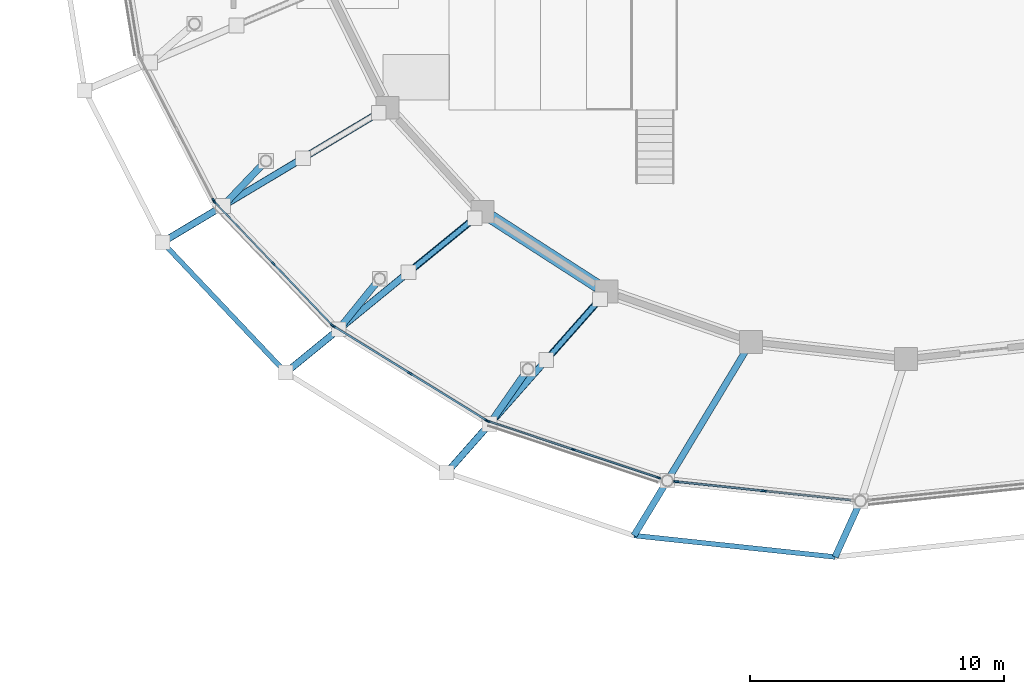
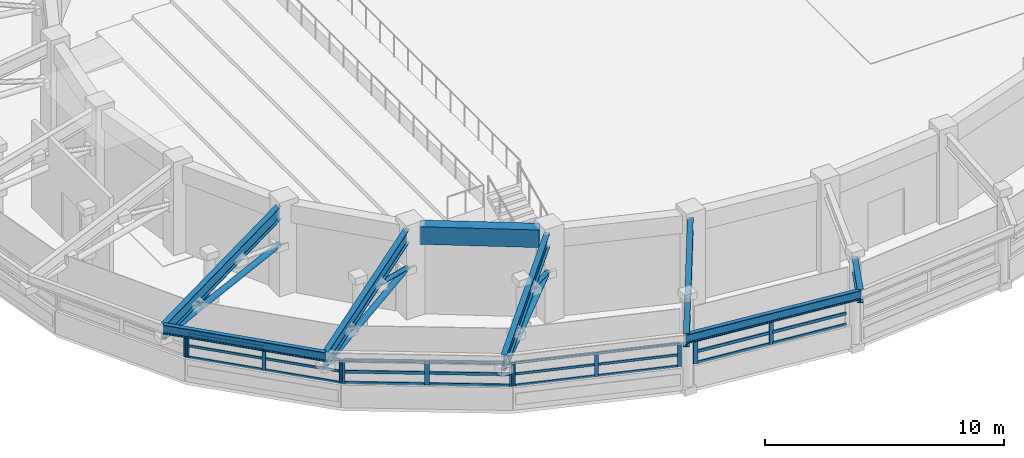
# One storey, part 11 of 56: 43 members, 9 beams, 5 elements without a shape of their own.
"""IFC4 building model written with IfcOpenShell, lengths in metres."""

import ifcopenshell
import ifcopenshell.guid

model = None  # the IFC model being written
_history = None  # IfcOwnerHistory: only IFC2X3 demands one
_inside = {}  # id of a spatial element -> (the spatial element, [elements in it])
_under = {}  # id of a project, library or spatial element -> (it, [spatial elements below it])
_declared = {}  # id of a project -> (the project, [libraries it declares])
_typed = {}  # id of a type object -> (the type object, [elements of that type])
_made_of = {}  # id of a material, layer set ... -> (it, [elements and type objects made of it])


def new_model(schema):
    """Start an empty IFC model of exactly this schema.

    Asked for "IFC4X3", IfcOpenShell would pick the latest addendum, in which some entities
    have other attributes; the version numbers below select the first issue.
    IFC2X3 requires an IfcOwnerHistory on every rooted entity: one is made here for all.
    """
    global model, _history
    if schema == "IFC4X3":
        model = ifcopenshell.file(schema_version=(4, 3, 0, 0))
    else:
        model = ifcopenshell.file(schema=schema)
    _inside.clear()
    _under.clear()
    _declared.clear()
    _typed.clear()
    _made_of.clear()
    _history = None
    if model.schema == "IFC2X3":
        org = make("IfcOrganization", Name="unknown")
        user = make(
            "IfcPersonAndOrganization",
            ThePerson=make("IfcPerson", FamilyName="unknown"),
            TheOrganization=org,
        )
        app = make(
            "IfcApplication",
            ApplicationDeveloper=org,
            Version="unknown",
            ApplicationFullName="unknown",
            ApplicationIdentifier="unknown",
        )
        _history = make(
            "IfcOwnerHistory",
            OwningUser=user,
            OwningApplication=app,
            ChangeAction="ADDED",
            CreationDate=0,
        )
    return model


def make(cls, **values):
    """One entity of the class cls with the attributes given. An attribute that is None is left unset."""
    return model.create_entity(
        cls, **{name: value for name, value in values.items() if value is not None}
    )


def rooted(cls, **values):
    """An entity with a GlobalId (a new one), such as an element, a storey or a relation."""
    return make(cls, GlobalId=ifcopenshell.guid.new(), OwnerHistory=_history, **values)


def si_unit(unit_type, name, prefix=None):
    """IfcSIUnit, for example si_unit("LENGTHUNIT", "METRE", prefix="MILLI")."""
    return make("IfcSIUnit", UnitType=unit_type, Prefix=prefix, Name=name)


def assignment(units):
    """IfcUnitAssignment: the units of a project."""
    return None if units is None else make("IfcUnitAssignment", Units=units)


def point(xyz):
    """IfcCartesianPoint."""
    return None if xyz is None else make("IfcCartesianPoint", Coordinates=xyz)


def direction(xyz):
    """IfcDirection."""
    return None if xyz is None else make("IfcDirection", DirectionRatios=xyz)


def frame(location, z_axis=None, x_axis=None):
    """IfcAxis2Placement3D, a coordinate frame: its origin and axes. An axis left out is left unset."""
    return make(
        "IfcAxis2Placement3D",
        Location=point(location),
        Axis=direction(z_axis),
        RefDirection=direction(x_axis),
    )


def frame_2d(location, x_axis=None):
    """IfcAxis2Placement2D, a coordinate frame in the plane: its origin and x axis."""
    return make(
        "IfcAxis2Placement2D", Location=point(location), RefDirection=direction(x_axis)
    )


def origin():
    """The frame at (0, 0, 0) with its axes left unset."""
    return frame((0.0, 0.0, 0.0))


def origin_2d():
    """The frame at (0, 0) in the plane with its x axis left unset."""
    return frame_2d((0.0, 0.0))


def place(relative_to, where):
    """IfcLocalPlacement: puts the frame where relative to a parent placement (None: the world)."""
    return make(
        "IfcLocalPlacement", PlacementRelTo=relative_to, RelativePlacement=where
    )


def context(
    kind, dimensions, precision=None, world=None, true_north=None, identifier=None
):
    """IfcGeometricRepresentationContext, for example the 3D "Model" context."""
    return make(
        "IfcGeometricRepresentationContext",
        ContextIdentifier=identifier,
        ContextType=kind,
        CoordinateSpaceDimension=dimensions,
        Precision=precision,
        WorldCoordinateSystem=world,
        TrueNorth=true_north,
    )


def subcontext(parent, identifier, kind, view, scale=None):
    """IfcGeometricRepresentationSubContext, for example "Body" below "Model"."""
    return make(
        "IfcGeometricRepresentationSubContext",
        ContextIdentifier=identifier,
        ContextType=kind,
        ParentContext=parent,
        TargetScale=scale,
        TargetView=view,
    )


def project(units=None, contexts=None):
    """IfcProject with its units and contexts."""
    return rooted(
        "IfcProject",
        Name="project",
        RepresentationContexts=contexts,
        UnitsInContext=assignment(units),
    )


def spatial(cls, under=None, at=None, **own):
    """A site, building, storey or space (cls), placed at a placement, below another one or the project."""
    s = rooted(cls, ObjectPlacement=at, **own)
    if under is not None:
        _under.setdefault(under.id(), (under, []))[1].append(s)
    return s


def profile(cls, at=None, kind="AREA", **sizes):
    """A parametric profile (cls). Its sizes go by their IFC names, for example OverallWidth=200.0."""
    return make(cls, ProfileType=kind, Position=at, **sizes)


def rectangle(**sizes):
    """IfcRectangleProfileDef."""
    return profile("IfcRectangleProfileDef", **sizes)


def hollow_circle(**sizes):
    """IfcCircleHollowProfileDef."""
    return profile("IfcCircleHollowProfileDef", **sizes)


def i_section(**sizes):
    """IfcIShapeProfileDef."""
    return profile("IfcIShapeProfileDef", **sizes)


def extrude(swept, where, along, depth):
    """IfcExtrudedAreaSolid: the profile swept, set in the frame where, extruded along a direction by depth."""
    return make(
        "IfcExtrudedAreaSolid",
        SweptArea=swept,
        Position=where,
        ExtrudedDirection=direction(along),
        Depth=depth,
    )


def shape(context_of_items, identifier, shape_type, items):
    """IfcShapeRepresentation: the items that make up one representation, for example the "Body"."""
    return make(
        "IfcShapeRepresentation",
        ContextOfItems=context_of_items,
        RepresentationIdentifier=identifier,
        RepresentationType=shape_type,
        Items=items,
    )


def material(Name=None, Category=None):
    """IfcMaterial."""
    return make("IfcMaterial", Name=Name, Category=Category)


def material_profile(
    of_material, cross_section, Name=None, Category=None, Priority=None
):
    """IfcMaterialProfile: a cross section and its material."""
    return make(
        "IfcMaterialProfile",
        Name=Name,
        Material=of_material,
        Profile=cross_section,
        Priority=Priority,
        Category=Category,
    )


def profile_set(profiles, Name=None, composite=None):
    """IfcMaterialProfileSet."""
    return make(
        "IfcMaterialProfileSet",
        Name=Name,
        MaterialProfiles=profiles,
        CompositeProfile=composite,
    )


def made_of(thing, what):
    """Note that an element or type object is made of a material, layer set ...; save() writes the relation."""
    if what is not None:
        _made_of.setdefault(what.id(), (what, []))[1].append(thing)
    return thing


def type_object(cls, material=None, **own):
    """A type object (cls), such as IfcWallType, which elements share."""
    return made_of(rooted(cls, **own), material)


def element(
    cls,
    number,
    at=None,
    inside=None,
    cuts=None,
    type_object=None,
    material=None,
    context=None,
    identifier="Body",
    shape_type=None,
    held_by="IfcProductDefinitionShape",
    body=None,
    shapes=None,
    **own,
):
    """One element of the class cls, such as IfcWall. Its Tag is "e" and its number.

    at: its placement. inside: the storey or other place that contains it. cuts: it is an
    opening in that element (IfcRelVoidsElement). A single representation is given by context,
    identifier, shape_type and body (its items); several are given by shapes. held_by: the class
    of the entity that holds the representations. save() writes the other relations.
    """
    e = rooted(cls, Tag="e%d" % number, ObjectPlacement=at, **own)
    if body is not None:
        shapes = [shape(context, identifier, shape_type, body)]
    if shapes is not None:
        e.Representation = make(held_by, Representations=shapes)
    if inside is not None:
        _inside.setdefault(inside.id(), (inside, []))[1].append(e)
    if cuts is not None:
        rooted(
            "IfcRelVoidsElement", RelatingBuildingElement=cuts, RelatedOpeningElement=e
        )
    if type_object is not None:
        _typed.setdefault(type_object.id(), (type_object, []))[1].append(e)
    return made_of(e, material)


def aggregate(whole, parts):
    """IfcRelAggregates: a whole, such as a stair, and the parts it consists of."""
    return rooted("IfcRelAggregates", RelatingObject=whole, RelatedObjects=parts)


def save(model, path):
    """Write the relations noted so far, then the file.

    IfcRelAggregates (storeys below a building ...), IfcRelContainedInSpatialStructure (elements
    in a storey), IfcRelDefinesByType, IfcRelAssociatesMaterial and IfcRelDeclares: one each for
    every whole, place, type object, material and project.
    """
    for whole, parts in _under.values():
        aggregate(whole, parts)
    for where, things in _inside.values():
        rooted(
            "IfcRelContainedInSpatialStructure",
            RelatedElements=things,
            RelatingStructure=where,
        )
    for kind, things in _typed.values():
        rooted("IfcRelDefinesByType", RelatedObjects=things, RelatingType=kind)
    for what, things in _made_of.values():
        rooted("IfcRelAssociatesMaterial", RelatedObjects=things, RelatingMaterial=what)
    for by, libraries in _declared.values():
        rooted("IfcRelDeclares", RelatingContext=by, RelatedDefinitions=libraries)
    model.write(path)


model = new_model("IFC4")

# Units and contexts
model_context = context("Model", 3, precision=1e-05, world=origin(), true_north=direction((0.0, 1.0)))
body_context = subcontext(model_context, "Body", "Model", "MODEL_VIEW")
ifc_project = project(units=[si_unit("LENGTHUNIT", "METRE"), si_unit("AREAUNIT", "SQUARE_METRE"), si_unit("VOLUMEUNIT", "CUBIC_METRE"), si_unit("PLANEANGLEUNIT", "RADIAN"), si_unit("MASSUNIT", "GRAM", prefix="KILO")], contexts=[model_context])

# Site, building, storey
site_placement = place(None, origin())
site = spatial("IfcSite", under=ifc_project, at=site_placement, CompositionType="ELEMENT")
building_placement = place(site_placement, origin())
building = spatial("IfcBuilding", under=site, at=building_placement, Name="Parian Resonance Hall", CompositionType="ELEMENT")
storey_placement = place(building_placement, frame((0.0, 0.0, 5.39990234375)))
storey = spatial("IfcBuildingStorey", under=building, at=storey_placement, Name="L01", CompositionType="ELEMENT", Elevation=5.39990234375)

# Beams
ifc_material_1 = material(Name="Concrete C40/50", Category="concrete")
ifc_material_profile_1 = material_profile(ifc_material_1, rectangle(XDim=0.5, YDim=0.89990234375, at=origin_2d()), Name="RC-BM-500x900")
ifc_profile_set_1 = profile_set([ifc_material_profile_1], Name="Concrete C40/50")
beam_type_1 = type_object("IfcBeamType", Name="BM-RC500x900", PredefinedType="USERDEFINED", material=ifc_profile_set_1)
beam_1_placement = place(storey_placement, frame((27.648681640625, 29.78271484375, 4.080078125), z_axis=(0.840822266108, -0.541311293819, 0.0), x_axis=(0.541311293819, 0.840822266108, 0.0)))
element("IfcBeam", 1, at=beam_1_placement, inside=storey, type_object=beam_type_1, Name="Concert hall drum ring beam L01-16", ObjectType="GIRDER", PredefinedType="USERDEFINED", context=body_context, shape_type="SweptSolid", body=[
    extrude(rectangle(XDim=0.5, YDim=0.89990234375, at=origin_2d()), origin(), (0.0, 0.0, 1.0), 5.012939453125),
])
ifc_material_2 = material(Name="Steel S355", Category="steel")
ifc_material_profile_2 = material_profile(ifc_material_2, i_section(OverallWidth=0.194091796875, OverallDepth=0.468994140625, WebThickness=0.0126953125, FlangeThickness=0.0205078125, FilletRadius=0.01513671875, at=origin_2d()), Name="W460x106")
ifc_profile_set_2 = profile_set([ifc_material_profile_2], Name="Steel S355")
beam_type_2 = type_object("IfcBeamType", Name="BM-W460x106", PredefinedType="SPANDREL", material=ifc_profile_set_2)
beam_2_placement = place(storey_placement, frame((14.69970703125, 28.800048828125, 4.295654296875), z_axis=(0.687512919554, -0.726172145877, 0.0), x_axis=(0.726172145877, 0.687512919554, 0.0)))
element("IfcBeam", 2, at=beam_2_placement, inside=storey, type_object=beam_type_2, Name="Elliptical R2 perimeter spandrel beam 15", PredefinedType="SPANDREL", context=body_context, shape_type="SweptSolid", body=[
    extrude(i_section(OverallWidth=0.194091796875, OverallDepth=0.468994140625, WebThickness=0.0126953125, FlangeThickness=0.0205078125, FilletRadius=0.01513671875, at=origin_2d()), origin(), (0.0, 0.0, 1.0), 7.072998046875),
])
beam_3_placement = place(storey_placement, frame((33.280029296875, 17.2451171875, 4.295654296875), z_axis=(0.99435359569, -0.106117513819, 0.0), x_axis=(0.106117513819, 0.99435359569, 0.0)))
element("IfcBeam", 3, at=beam_3_placement, inside=storey, type_object=beam_type_2, Name="Elliptical R2 perimeter spandrel beam 18", PredefinedType="SPANDREL", context=body_context, shape_type="SweptSolid", body=[
    extrude(i_section(OverallWidth=0.194091796875, OverallDepth=0.468994140625, WebThickness=0.0126953125, FlangeThickness=0.0205078125, FilletRadius=0.01513671875, at=origin_2d()), origin(), (0.0, 0.0, 1.0), 7.96484375),
])
ifc_material_3 = material(Name="Steel S355", Category="steel")
ifc_material_profile_3 = material_profile(ifc_material_3, i_section(OverallWidth=0.256103515625, OverallDepth=0.693115234375, WebThickness=0.014404296875, FlangeThickness=0.023681640625, FilletRadius=0.020263671875, at=origin_2d()), Name="W690x170")
ifc_profile_set_3 = profile_set([ifc_material_profile_3], Name="Steel S355")
beam_type_3 = type_object("IfcBeamType", Name="CG2 W690x170", PredefinedType="USERDEFINED", material=ifc_profile_set_3)
beam_4_placement = place(storey_placement, frame((23.218505859375, 33.894775390625, 4.18359375), z_axis=(-0.858227758377, -0.513269047139, 0.0), x_axis=(0.513269047139, -0.858227758377, 0.0)))
element("IfcBeam", 4, at=beam_4_placement, inside=storey, type_object=beam_type_3, Name="Radial ring cantilever girder R2-15", ObjectType="GIRDER", PredefinedType="USERDEFINED", context=body_context, shape_type="SweptSolid", body=[
    extrude(i_section(OverallWidth=0.256103515625, OverallDepth=0.693115234375, WebThickness=0.014404296875, FlangeThickness=0.023681640625, FilletRadius=0.020263671875, at=origin_2d()), origin(), (0.0, 0.0, 1.0), 9.926025390625),
])
beam_5_placement = place(storey_placement, frame((27.002685546875, 29.74609375, 4.18359375), z_axis=(-0.774219835665, -0.632916776569, 0.0), x_axis=(0.632916776569, -0.774219835665, 0.0)))
element("IfcBeam", 5, at=beam_5_placement, inside=storey, type_object=beam_type_3, Name="Radial ring cantilever girder R2-16", ObjectType="GIRDER", PredefinedType="USERDEFINED", context=body_context, shape_type="SweptSolid", body=[
    extrude(i_section(OverallWidth=0.256103515625, OverallDepth=0.693115234375, WebThickness=0.014404296875, FlangeThickness=0.023681640625, FilletRadius=0.020263671875, at=origin_2d()), origin(), (0.0, 0.0, 1.0), 9.60986328125),
])
beam_6_placement = place(storey_placement, frame((31.93505859375, 26.552978515625, 4.18359375), z_axis=(-0.662139733285, -0.749380393128, 0.0), x_axis=(0.749380393128, -0.662139733285, 0.0)))
element("IfcBeam", 6, at=beam_6_placement, inside=storey, type_object=beam_type_3, Name="Radial ring cantilever girder R2-17", ObjectType="GIRDER", PredefinedType="USERDEFINED", context=body_context, shape_type="SweptSolid", body=[
    extrude(i_section(OverallWidth=0.256103515625, OverallDepth=0.693115234375, WebThickness=0.014404296875, FlangeThickness=0.023681640625, FilletRadius=0.020263671875, at=origin_2d()), origin(), (0.0, 0.0, 1.0), 9.11474609375),
])
beam_7_placement = place(storey_placement, frame((37.68505859375, 24.532470703125, 4.18359375), z_axis=(-0.516622206285, -0.856213464022, 0.0), x_axis=(0.856213464022, -0.516622206285, 0.0)))
element("IfcBeam", 7, at=beam_7_placement, inside=storey, type_object=beam_type_3, Name="Radial ring back-span girder R2-18", ObjectType="GIRDER", PredefinedType="USERDEFINED", context=body_context, shape_type="SweptSolid", body=[
    extrude(i_section(OverallWidth=0.256103515625, OverallDepth=0.693115234375, WebThickness=0.014404296875, FlangeThickness=0.023681640625, FilletRadius=0.020263671875, at=origin_2d()), origin(), (0.0, 0.0, 1.0), 5.9892578125),
])
beam_8_placement = place(storey_placement, frame((34.5908203125, 19.404296875, 4.18359375), z_axis=(-0.518937778401, -0.854812015678, 0.0), x_axis=(0.854812015678, -0.518937778401, 0.0)))
element("IfcBeam", 8, at=beam_8_placement, inside=storey, type_object=beam_type_3, Name="Radial ring cantilever girder R2-18", ObjectType="GIRDER", PredefinedType="USERDEFINED", context=body_context, shape_type="SweptSolid", body=[
    extrude(i_section(OverallWidth=0.256103515625, OverallDepth=0.693115234375, WebThickness=0.014404296875, FlangeThickness=0.023681640625, FilletRadius=0.020263671875, at=origin_2d()), origin(), (0.0, 0.0, 1.0), 2.52587890625),
])
beam_9_placement = place(storey_placement, frame((42.199951171875, 18.60009765625, 4.18359375), z_axis=(-0.413772500085, -0.910380315128, 0.0), x_axis=(0.910380315128, -0.413772500085, 0.0)))
element("IfcBeam", 9, at=beam_9_placement, inside=storey, type_object=beam_type_3, Name="Radial ring cantilever girder R2-19", ObjectType="GIRDER", PredefinedType="USERDEFINED", context=body_context, shape_type="SweptSolid", body=[
    extrude(i_section(OverallWidth=0.256103515625, OverallDepth=0.693115234375, WebThickness=0.014404296875, FlangeThickness=0.023681640625, FilletRadius=0.020263671875, at=origin_2d()), origin(), (0.0, 0.0, 1.0), 2.416748046875),
])

# Curtain wall, members
ifc_material_4 = material(Name="Bronze-anodised aluminium frame", Category="aluminium")
curtain_wall_type_1 = type_object("IfcCurtainWallType", Name="CW-SYS-03", PredefinedType="NOTDEFINED", material=ifc_material_4)
curtain_wall_1_placement = place(storey_placement, origin())
curtain_wall_1 = element("IfcCurtainWall", 10, at=curtain_wall_1_placement, inside=storey, type_object=curtain_wall_type_1, Name="Elliptical R1 recessed strip curtain wall 15", PredefinedType="NOTDEFINED")
ifc_material_5 = material(Name="Bronze-anodised aluminium frame", Category="aluminium")
ifc_material_profile_4 = material_profile(ifc_material_5, rectangle(XDim=0.06494140625, YDim=0.159912109375, at=origin_2d()), Name="CWM-65x160")
ifc_profile_set_4 = profile_set([ifc_material_profile_4], Name="Bronze-anodised aluminium frame")
member_type_1 = type_object("IfcMemberType", Name="CWM-65x160", PredefinedType="MULLION", material=ifc_profile_set_4)
member_1_placement = place(storey_placement, frame((21.388671875, 25.535888671875, 1.14208984375), z_axis=(0.0, 0.0, 1.0), x_axis=(-0.722862800238, -0.69099158608, 0.0)))
member_1 = element("IfcMember", 11, at=member_1_placement, type_object=member_type_1, Name="CW-03 mullion 1", PredefinedType="MULLION", context=body_context, shape_type="SweptSolid", body=[
    extrude(rectangle(XDim=0.06494140625, YDim=0.159912109375, at=origin_2d()), origin(), (0.0, 0.0, 1.0), 1.218017578125),
])
member_2_placement = place(storey_placement, frame((19.074951171875, 27.9560546875, 1.14208984375), z_axis=(0.0, 0.0, 1.0), x_axis=(-0.722862800238, -0.69099158608, 0.0)))
member_2 = element("IfcMember", 12, at=member_2_placement, type_object=member_type_1, Name="CW-03 mullion 2", PredefinedType="MULLION", context=body_context, shape_type="SweptSolid", body=[
    extrude(rectangle(XDim=0.06494140625, YDim=0.159912109375, at=origin_2d()), origin(), (0.0, 0.0, 1.0), 1.218017578125),
])
member_3_placement = place(storey_placement, frame((16.761474609375, 30.37646484375, 1.14208984375), z_axis=(0.0, 0.0, 1.0), x_axis=(-0.722862800238, -0.69099158608, 0.0)))
member_3 = element("IfcMember", 13, at=member_3_placement, type_object=member_type_1, Name="CW-03 mullion 3", PredefinedType="MULLION", context=body_context, shape_type="SweptSolid", body=[
    extrude(rectangle(XDim=0.06494140625, YDim=0.159912109375, at=origin_2d()), origin(), (0.0, 0.0, 1.0), 1.218017578125),
])

ifc_material_6 = material(Name="Bronze-anodised aluminium frame", Category="aluminium")
curtain_wall_type_2 = type_object("IfcCurtainWallType", Name="CW-SYS-05", PredefinedType="NOTDEFINED", material=ifc_material_6)
curtain_wall_2_placement = place(storey_placement, origin())
curtain_wall_2 = element("IfcCurtainWall", 14, at=curtain_wall_2_placement, inside=storey, type_object=curtain_wall_type_2, Name="Elliptical R1 recessed strip curtain wall 17", PredefinedType="NOTDEFINED")
member_4_placement = place(storey_placement, frame((34.25146484375, 19.51708984375, 1.14208984375), z_axis=(0.0, 0.0, 1.0), x_axis=(-0.315505719015, -0.948923675154, 0.0)))
member_4 = element("IfcMember", 15, at=member_4_placement, type_object=member_type_1, Name="CW-05 mullion 1", PredefinedType="MULLION", context=body_context, shape_type="SweptSolid", body=[
    extrude(rectangle(XDim=0.06494140625, YDim=0.159912109375, at=origin_2d()), origin(), (0.0, 0.0, 1.0), 1.218017578125),
])
member_5_placement = place(storey_placement, frame((30.89111328125, 20.63427734375, 1.14208984375), z_axis=(0.0, 0.0, 1.0), x_axis=(-0.315505719015, -0.948923675154, 0.0)))
member_5 = element("IfcMember", 16, at=member_5_placement, type_object=member_type_1, Name="CW-05 mullion 2", PredefinedType="MULLION", context=body_context, shape_type="SweptSolid", body=[
    extrude(rectangle(XDim=0.06494140625, YDim=0.159912109375, at=origin_2d()), origin(), (0.0, 0.0, 1.0), 1.218017578125),
])
member_6_placement = place(storey_placement, frame((27.53076171875, 21.75146484375, 1.14208984375), z_axis=(0.0, 0.0, 1.0), x_axis=(-0.315505719015, -0.948923675154, 0.0)))
member_6 = element("IfcMember", 17, at=member_6_placement, type_object=member_type_1, Name="CW-05 mullion 3", PredefinedType="MULLION", context=body_context, shape_type="SweptSolid", body=[
    extrude(rectangle(XDim=0.06494140625, YDim=0.159912109375, at=origin_2d()), origin(), (0.0, 0.0, 1.0), 1.218017578125),
])

# Curtain wall, member
ifc_material_7 = material(Name="Bronze-anodised aluminium frame", Category="aluminium")
curtain_wall_type_3 = type_object("IfcCurtainWallType", Name="CW-SYS-02", PredefinedType="NOTDEFINED", material=ifc_material_7)
curtain_wall_3_placement = place(storey_placement, origin())
curtain_wall_3 = element("IfcCurtainWall", 18, at=curtain_wall_3_placement, inside=storey, type_object=curtain_wall_type_3, Name="Elliptical R1 recessed strip curtain wall 14", PredefinedType="NOTDEFINED")
ifc_material_8 = material(Name="Bronze-anodised aluminium frame", Category="aluminium")
ifc_material_profile_5 = material_profile(ifc_material_8, rectangle(XDim=0.074951171875, YDim=0.199951171875, at=origin_2d()), Name="CWM-75x200")
ifc_profile_set_5 = profile_set([ifc_material_profile_5], Name="Bronze-anodised aluminium frame")
member_type_2 = type_object("IfcMemberType", Name="CWM-75x200", PredefinedType="MULLION", material=ifc_profile_set_5)
member_7_placement = place(storey_placement, frame((16.7216796875, 30.433349609375, 1.14208984375), z_axis=(0.0, 0.0, 1.0), x_axis=(-0.888662321607, -0.458562185702, 0.0)))
member_7 = element("IfcMember", 19, at=member_7_placement, type_object=member_type_2, Name="CW-02 mullion 1", PredefinedType="MULLION", context=body_context, shape_type="SweptSolid", body=[
    extrude(rectangle(XDim=0.074951171875, YDim=0.199951171875, at=origin_2d()), origin(), (0.0, 0.0, 1.0), 1.218017578125),
])
aggregate(curtain_wall_3, [member_7])

# Curtain wall, members
ifc_material_9 = material(Name="Bronze-anodised aluminium frame", Category="aluminium")
curtain_wall_type_4 = type_object("IfcCurtainWallType", Name="CW-SYS-04", PredefinedType="NOTDEFINED", material=ifc_material_9)
curtain_wall_4_placement = place(storey_placement, origin())
curtain_wall_4 = element("IfcCurtainWall", 20, at=curtain_wall_4_placement, inside=storey, type_object=curtain_wall_type_4, Name="Elliptical R1 recessed strip curtain wall 16", PredefinedType="NOTDEFINED")
member_8_placement = place(storey_placement, frame((27.468017578125, 21.781494140625, 1.14208984375), z_axis=(0.0, 0.0, 1.0), x_axis=(-0.524450808757, -0.85144074908, 0.0)))
member_8 = element("IfcMember", 21, at=member_8_placement, type_object=member_type_2, Name="CW-04 mullion 1", PredefinedType="MULLION", context=body_context, shape_type="SweptSolid", body=[
    extrude(rectangle(XDim=0.074951171875, YDim=0.199951171875, at=origin_2d()), origin(), (0.0, 0.0, 1.0), 1.218017578125),
])
member_9_placement = place(storey_placement, frame((24.45556640625, 23.636962890625, 1.14208984375), z_axis=(0.0, 0.0, 1.0), x_axis=(-0.524450808757, -0.85144074908, 0.0)))
member_9 = element("IfcMember", 22, at=member_9_placement, type_object=member_type_2, Name="CW-04 mullion 2", PredefinedType="MULLION", context=body_context, shape_type="SweptSolid", body=[
    extrude(rectangle(XDim=0.074951171875, YDim=0.199951171875, at=origin_2d()), origin(), (0.0, 0.0, 1.0), 1.218017578125),
])
member_10_placement = place(storey_placement, frame((21.443115234375, 25.49267578125, 1.14208984375), z_axis=(0.0, 0.0, 1.0), x_axis=(-0.524450808757, -0.85144074908, 0.0)))
member_10 = element("IfcMember", 23, at=member_10_placement, type_object=member_type_2, Name="CW-04 mullion 3", PredefinedType="MULLION", context=body_context, shape_type="SweptSolid", body=[
    extrude(rectangle(XDim=0.074951171875, YDim=0.199951171875, at=origin_2d()), origin(), (0.0, 0.0, 1.0), 1.218017578125),
])

ifc_material_10 = material(Name="Bronze-anodised aluminium frame", Category="aluminium")
curtain_wall_type_5 = type_object("IfcCurtainWallType", Name="CW-SYS-06", PredefinedType="NOTDEFINED", material=ifc_material_10)
curtain_wall_5_placement = place(storey_placement, origin())
curtain_wall_5 = element("IfcCurtainWall", 24, at=curtain_wall_5_placement, inside=storey, type_object=curtain_wall_type_5, Name="Elliptical R1 recessed strip curtain wall 18", PredefinedType="NOTDEFINED")
member_11_placement = place(storey_placement, frame((38.395263671875, 19.002197265625, 1.14208984375), z_axis=(0.0, 0.0, 1.0), x_axis=(-0.105102324563, -0.994461412711, 0.0)))
member_11 = element("IfcMember", 25, at=member_11_placement, type_object=member_type_2, Name="CW-06 mullion 2", PredefinedType="MULLION", context=body_context, shape_type="SweptSolid", body=[
    extrude(rectangle(XDim=0.074951171875, YDim=0.199951171875, at=origin_2d()), origin(), (0.0, 0.0, 1.0), 1.218017578125),
])
member_12_placement = place(storey_placement, frame((34.9365234375, 19.36767578125, 1.14208984375), z_axis=(0.0, 0.0, 1.0), x_axis=(-0.105102324563, -0.994461412711, 0.0)))
member_12 = element("IfcMember", 26, at=member_12_placement, type_object=member_type_2, Name="CW-06 mullion 3", PredefinedType="MULLION", context=body_context, shape_type="SweptSolid", body=[
    extrude(rectangle(XDim=0.074951171875, YDim=0.199951171875, at=origin_2d()), origin(), (0.0, 0.0, 1.0), 1.218017578125),
])

# Member
ifc_material_11 = material(Name="Bronze-anodised aluminium frame", Category="aluminium")
ifc_material_profile_6 = material_profile(ifc_material_11, rectangle(XDim=0.06494140625, YDim=0.1201171875, at=origin_2d()), Name="CWT-65x120")
ifc_profile_set_6 = profile_set([ifc_material_profile_6], Name="Bronze-anodised aluminium frame")
member_type_3 = type_object("IfcMemberType", Name="CWT-65x120", PredefinedType="USERDEFINED", material=ifc_profile_set_6)
member_13_placement = place(storey_placement, frame((21.3662109375, 25.559326171875, 1.174560546875), z_axis=(-0.691014956393, 0.722840459604, 0.0), x_axis=(-0.722840459604, -0.691014956393, 0.0)))
member_13 = element("IfcMember", 27, at=member_13_placement, type_object=member_type_3, Name="CW-03 transom 1.1", ObjectType="TRANSOM", PredefinedType="USERDEFINED", context=body_context, shape_type="SweptSolid", body=[
    extrude(rectangle(XDim=0.06494140625, YDim=0.1201171875, at=origin_2d()), origin(), (0.0, 0.0, 1.0), 3.283203125),
])

member_14_placement = place(storey_placement, frame((21.3662109375, 25.559326171875, 1.75), z_axis=(-0.691014956393, 0.722840459604, 0.0), x_axis=(-0.722840459604, -0.691014956393, 0.0)))
member_14 = element("IfcMember", 28, at=member_14_placement, type_object=member_type_3, Name="CW-03 transom 1.2", ObjectType="TRANSOM", PredefinedType="USERDEFINED", context=body_context, shape_type="SweptSolid", body=[
    extrude(rectangle(XDim=0.06494140625, YDim=0.1201171875, at=origin_2d()), origin(), (0.0, 0.0, 1.0), 3.283203125),
])

member_15_placement = place(storey_placement, frame((21.3662109375, 25.559326171875, 2.32763671875), z_axis=(-0.691014956393, 0.722840459604, 0.0), x_axis=(-0.722840459604, -0.691014956393, 0.0)))
member_15 = element("IfcMember", 29, at=member_15_placement, type_object=member_type_3, Name="CW-03 transom 1.3", ObjectType="TRANSOM", PredefinedType="USERDEFINED", context=body_context, shape_type="SweptSolid", body=[
    extrude(rectangle(XDim=0.06494140625, YDim=0.1201171875, at=origin_2d()), origin(), (0.0, 0.0, 1.0), 3.283203125),
])

member_16_placement = place(storey_placement, frame((19.052490234375, 27.979736328125, 1.174560546875), z_axis=(-0.690976101127, 0.722877602137, 0.0), x_axis=(-0.722877602137, -0.690976101127, 0.0)))
member_16 = element("IfcMember", 30, at=member_16_placement, type_object=member_type_3, Name="CW-03 transom 2.1", ObjectType="TRANSOM", PredefinedType="USERDEFINED", context=body_context, shape_type="SweptSolid", body=[
    extrude(rectangle(XDim=0.06494140625, YDim=0.1201171875, at=origin_2d()), origin(), (0.0, 0.0, 1.0), 3.283203125),
])

member_17_placement = place(storey_placement, frame((19.052490234375, 27.979736328125, 1.75), z_axis=(-0.690976101127, 0.722877602137, 0.0), x_axis=(-0.722877602137, -0.690976101127, 0.0)))
member_17 = element("IfcMember", 31, at=member_17_placement, type_object=member_type_3, Name="CW-03 transom 2.2", ObjectType="TRANSOM", PredefinedType="USERDEFINED", context=body_context, shape_type="SweptSolid", body=[
    extrude(rectangle(XDim=0.06494140625, YDim=0.1201171875, at=origin_2d()), origin(), (0.0, 0.0, 1.0), 3.283203125),
])

member_18_placement = place(storey_placement, frame((19.052490234375, 27.979736328125, 2.32763671875), z_axis=(-0.690976101127, 0.722877602137, 0.0), x_axis=(-0.722877602137, -0.690976101127, 0.0)))
member_18 = element("IfcMember", 32, at=member_18_placement, type_object=member_type_3, Name="CW-03 transom 2.3", ObjectType="TRANSOM", PredefinedType="USERDEFINED", context=body_context, shape_type="SweptSolid", body=[
    extrude(rectangle(XDim=0.06494140625, YDim=0.1201171875, at=origin_2d()), origin(), (0.0, 0.0, 1.0), 3.283203125),
])

aggregate(curtain_wall_1, [member_1, member_2, member_3, member_13, member_14, member_15, member_16, member_17, member_18])

member_19_placement = place(storey_placement, frame((34.220458984375, 19.52734375, 1.174560546875), z_axis=(-0.948928829711, 0.315490215607, 0.0), x_axis=(-0.315490215607, -0.948928829711, 0.0)))
member_19 = element("IfcMember", 33, at=member_19_placement, type_object=member_type_3, Name="CW-05 transom 1.1", ObjectType="TRANSOM", PredefinedType="USERDEFINED", context=body_context, shape_type="SweptSolid", body=[
    extrude(rectangle(XDim=0.06494140625, YDim=0.1201171875, at=origin_2d()), origin(), (0.0, 0.0, 1.0), 3.47607421875),
])

member_20_placement = place(storey_placement, frame((34.220458984375, 19.52734375, 1.75), z_axis=(-0.948928829711, 0.315490215607, 0.0), x_axis=(-0.315490215607, -0.948928829711, 0.0)))
member_20 = element("IfcMember", 34, at=member_20_placement, type_object=member_type_3, Name="CW-05 transom 1.2", ObjectType="TRANSOM", PredefinedType="USERDEFINED", context=body_context, shape_type="SweptSolid", body=[
    extrude(rectangle(XDim=0.06494140625, YDim=0.1201171875, at=origin_2d()), origin(), (0.0, 0.0, 1.0), 3.47607421875),
])

member_21_placement = place(storey_placement, frame((34.220458984375, 19.52734375, 2.32763671875), z_axis=(-0.948928829711, 0.315490215607, 0.0), x_axis=(-0.315490215607, -0.948928829711, 0.0)))
member_21 = element("IfcMember", 35, at=member_21_placement, type_object=member_type_3, Name="CW-05 transom 1.3", ObjectType="TRANSOM", PredefinedType="USERDEFINED", context=body_context, shape_type="SweptSolid", body=[
    extrude(rectangle(XDim=0.06494140625, YDim=0.1201171875, at=origin_2d()), origin(), (0.0, 0.0, 1.0), 3.47607421875),
])

member_22_placement = place(storey_placement, frame((30.8603515625, 20.64453125, 1.174560546875), z_axis=(-0.948928829711, 0.315490215607, 0.0), x_axis=(-0.315490215607, -0.948928829711, 0.0)))
member_22 = element("IfcMember", 36, at=member_22_placement, type_object=member_type_3, Name="CW-05 transom 2.1", ObjectType="TRANSOM", PredefinedType="USERDEFINED", context=body_context, shape_type="SweptSolid", body=[
    extrude(rectangle(XDim=0.06494140625, YDim=0.1201171875, at=origin_2d()), origin(), (0.0, 0.0, 1.0), 3.47607421875),
])

member_23_placement = place(storey_placement, frame((30.8603515625, 20.64453125, 1.75), z_axis=(-0.948928829711, 0.315490215607, 0.0), x_axis=(-0.315490215607, -0.948928829711, 0.0)))
member_23 = element("IfcMember", 37, at=member_23_placement, type_object=member_type_3, Name="CW-05 transom 2.2", ObjectType="TRANSOM", PredefinedType="USERDEFINED", context=body_context, shape_type="SweptSolid", body=[
    extrude(rectangle(XDim=0.06494140625, YDim=0.1201171875, at=origin_2d()), origin(), (0.0, 0.0, 1.0), 3.47607421875),
])

member_24_placement = place(storey_placement, frame((30.8603515625, 20.64453125, 2.32763671875), z_axis=(-0.948928829711, 0.315490215607, 0.0), x_axis=(-0.315490215607, -0.948928829711, 0.0)))
member_24 = element("IfcMember", 38, at=member_24_placement, type_object=member_type_3, Name="CW-05 transom 2.3", ObjectType="TRANSOM", PredefinedType="USERDEFINED", context=body_context, shape_type="SweptSolid", body=[
    extrude(rectangle(XDim=0.06494140625, YDim=0.1201171875, at=origin_2d()), origin(), (0.0, 0.0, 1.0), 3.47607421875),
])

aggregate(curtain_wall_2, [member_4, member_5, member_6, member_19, member_20, member_21, member_22, member_23, member_24])

ifc_material_12 = material(Name="Bronze-anodised aluminium frame", Category="aluminium")
ifc_material_profile_7 = material_profile(ifc_material_12, rectangle(XDim=0.074951171875, YDim=0.14990234375, at=origin_2d()), Name="CWT-75x150")
ifc_profile_set_7 = profile_set([ifc_material_profile_7], Name="Bronze-anodised aluminium frame")
member_type_4 = type_object("IfcMemberType", Name="CWT-75x150", PredefinedType="USERDEFINED", material=ifc_profile_set_7)
member_25_placement = place(storey_placement, frame((27.43603515625, 21.801025390625, 1.1796875), z_axis=(-0.851406482482, 0.524506436173, 0.0), x_axis=(-0.524506436173, -0.851406482482, 0.0)))
member_25 = element("IfcMember", 39, at=member_25_placement, type_object=member_type_4, Name="CW-04 transom 1.1", ObjectType="TRANSOM", PredefinedType="USERDEFINED", context=body_context, shape_type="SweptSolid", body=[
    extrude(rectangle(XDim=0.074951171875, YDim=0.14990234375, at=origin_2d()), origin(), (0.0, 0.0, 1.0), 3.463134765625),
])

member_26_placement = place(storey_placement, frame((27.43603515625, 21.801025390625, 1.75), z_axis=(-0.851406482482, 0.524506436173, 0.0), x_axis=(-0.524506436173, -0.851406482482, 0.0)))
member_26 = element("IfcMember", 40, at=member_26_placement, type_object=member_type_4, Name="CW-04 transom 1.2", ObjectType="TRANSOM", PredefinedType="USERDEFINED", context=body_context, shape_type="SweptSolid", body=[
    extrude(rectangle(XDim=0.074951171875, YDim=0.14990234375, at=origin_2d()), origin(), (0.0, 0.0, 1.0), 3.463134765625),
])

member_27_placement = place(storey_placement, frame((27.43603515625, 21.801025390625, 2.322509765625), z_axis=(-0.851406482482, 0.524506436173, 0.0), x_axis=(-0.524506436173, -0.851406482482, 0.0)))
member_27 = element("IfcMember", 41, at=member_27_placement, type_object=member_type_4, Name="CW-04 transom 1.3", ObjectType="TRANSOM", PredefinedType="USERDEFINED", context=body_context, shape_type="SweptSolid", body=[
    extrude(rectangle(XDim=0.074951171875, YDim=0.14990234375, at=origin_2d()), origin(), (0.0, 0.0, 1.0), 3.463134765625),
])

member_28_placement = place(storey_placement, frame((24.423583984375, 23.65673828125, 1.1796875), z_axis=(-0.851457354089, 0.524423849732, 0.0), x_axis=(-0.524423849732, -0.851457354089, 0.0)))
member_28 = element("IfcMember", 42, at=member_28_placement, type_object=member_type_4, Name="CW-04 transom 2.1", ObjectType="TRANSOM", PredefinedType="USERDEFINED", context=body_context, shape_type="SweptSolid", body=[
    extrude(rectangle(XDim=0.074951171875, YDim=0.14990234375, at=origin_2d()), origin(), (0.0, 0.0, 1.0), 3.463134765625),
])

member_29_placement = place(storey_placement, frame((24.423583984375, 23.65673828125, 1.75), z_axis=(-0.851457354089, 0.524423849732, 0.0), x_axis=(-0.524423849732, -0.851457354089, 0.0)))
member_29 = element("IfcMember", 43, at=member_29_placement, type_object=member_type_4, Name="CW-04 transom 2.2", ObjectType="TRANSOM", PredefinedType="USERDEFINED", context=body_context, shape_type="SweptSolid", body=[
    extrude(rectangle(XDim=0.074951171875, YDim=0.14990234375, at=origin_2d()), origin(), (0.0, 0.0, 1.0), 3.463134765625),
])

member_30_placement = place(storey_placement, frame((24.423583984375, 23.65673828125, 2.322509765625), z_axis=(-0.851457354089, 0.524423849732, 0.0), x_axis=(-0.524423849732, -0.851457354089, 0.0)))
member_30 = element("IfcMember", 44, at=member_30_placement, type_object=member_type_4, Name="CW-04 transom 2.3", ObjectType="TRANSOM", PredefinedType="USERDEFINED", context=body_context, shape_type="SweptSolid", body=[
    extrude(rectangle(XDim=0.074951171875, YDim=0.14990234375, at=origin_2d()), origin(), (0.0, 0.0, 1.0), 3.463134765625),
])

aggregate(curtain_wall_4, [member_8, member_9, member_10, member_25, member_26, member_27, member_28, member_29, member_30])

member_31_placement = place(storey_placement, frame((41.81689453125, 18.640380859375, 1.1796875), z_axis=(-0.994461732808, 0.105099295813, 0.0), x_axis=(-0.105099295813, -0.994461732808, 0.0)))
member_31 = element("IfcMember", 45, at=member_31_placement, type_object=member_type_4, Name="CW-06 transom 1.1", ObjectType="TRANSOM", PredefinedType="USERDEFINED", context=body_context, shape_type="SweptSolid", body=[
    extrude(rectangle(XDim=0.074951171875, YDim=0.14990234375, at=origin_2d()), origin(), (0.0, 0.0, 1.0), 3.403076171875),
])

member_32_placement = place(storey_placement, frame((41.81689453125, 18.640380859375, 1.75), z_axis=(-0.994461732808, 0.105099295813, 0.0), x_axis=(-0.105099295813, -0.994461732808, 0.0)))
member_32 = element("IfcMember", 46, at=member_32_placement, type_object=member_type_4, Name="CW-06 transom 1.2", ObjectType="TRANSOM", PredefinedType="USERDEFINED", context=body_context, shape_type="SweptSolid", body=[
    extrude(rectangle(XDim=0.074951171875, YDim=0.14990234375, at=origin_2d()), origin(), (0.0, 0.0, 1.0), 3.403076171875),
])

member_33_placement = place(storey_placement, frame((38.358154296875, 19.006103515625, 1.1796875), z_axis=(-0.994461732808, 0.105099295813, 0.0), x_axis=(-0.105099295813, -0.994461732808, 0.0)))
member_33 = element("IfcMember", 47, at=member_33_placement, type_object=member_type_4, Name="CW-06 transom 2.1", ObjectType="TRANSOM", PredefinedType="USERDEFINED", context=body_context, shape_type="SweptSolid", body=[
    extrude(rectangle(XDim=0.074951171875, YDim=0.14990234375, at=origin_2d()), origin(), (0.0, 0.0, 1.0), 3.403076171875),
])

member_34_placement = place(storey_placement, frame((38.358154296875, 19.006103515625, 1.75), z_axis=(-0.994461732808, 0.105099295813, 0.0), x_axis=(-0.105099295813, -0.994461732808, 0.0)))
member_34 = element("IfcMember", 48, at=member_34_placement, type_object=member_type_4, Name="CW-06 transom 2.2", ObjectType="TRANSOM", PredefinedType="USERDEFINED", context=body_context, shape_type="SweptSolid", body=[
    extrude(rectangle(XDim=0.074951171875, YDim=0.14990234375, at=origin_2d()), origin(), (0.0, 0.0, 1.0), 3.403076171875),
])

member_35_placement = place(storey_placement, frame((38.358154296875, 19.006103515625, 2.322509765625), z_axis=(-0.994461732808, 0.105099295813, 0.0), x_axis=(-0.105099295813, -0.994461732808, 0.0)))
member_35 = element("IfcMember", 49, at=member_35_placement, type_object=member_type_4, Name="CW-06 transom 2.3", ObjectType="TRANSOM", PredefinedType="USERDEFINED", context=body_context, shape_type="SweptSolid", body=[
    extrude(rectangle(XDim=0.074951171875, YDim=0.14990234375, at=origin_2d()), origin(), (0.0, 0.0, 1.0), 3.403076171875),
])

aggregate(curtain_wall_5, [member_11, member_12, member_31, member_32, member_33, member_34, member_35])

# Members
ifc_material_13 = material(Name="Hollow structural steel S355", Category="steel")
ifc_material_profile_8 = material_profile(ifc_material_13, hollow_circle(Radius=0.109619140625, WallThickness=0.010009765625, at=origin_2d()), Name="CHS219.1x10")
ifc_profile_set_8 = profile_set([ifc_material_profile_8], Name="Hollow structural steel S355")
member_type_5 = type_object("IfcMemberType", Name="MEM-CHS219", PredefinedType="CHORD", material=ifc_profile_set_8)
member_36_placement = place(storey_placement, frame((27.002685546875, 29.74609375, 2.507080078125), z_axis=(-0.718476678901, -0.587391396964, 0.372508535001), x_axis=(0.632945247175, -0.774196560363, 0.0)))
element("IfcMember", 50, at=member_36_placement, inside=storey, type_object=member_type_5, Name="Elliptical ring truss inner web R2-16", PredefinedType="CHORD", context=body_context, shape_type="SweptSolid", body=[
    extrude(hollow_circle(Radius=0.109619140625, WallThickness=0.010009765625, at=origin_2d()), origin(), (0.0, 0.0, 1.0), 3.624267578125),
])
member_37_placement = place(storey_placement, frame((31.93505859375, 26.552978515625, 2.507080078125), z_axis=(-0.609777902687, -0.690123118714, 0.389744775989), x_axis=(0.749382070775, -0.662137834594, 0.0)))
element("IfcMember", 51, at=member_37_placement, inside=storey, type_object=member_type_5, Name="Elliptical ring truss inner web R2-17", PredefinedType="CHORD", context=body_context, shape_type="SweptSolid", body=[
    extrude(hollow_circle(Radius=0.109619140625, WallThickness=0.010009765625, at=origin_2d()), origin(), (0.0, 0.0, 1.0), 3.464111328125),
])
ifc_material_14 = material(Name="Hollow structural steel S355", Category="steel")
ifc_material_profile_9 = material_profile(ifc_material_14, hollow_circle(Radius=0.136474609375, WallThickness=0.012451171875, at=origin_2d()), Name="CHS273x12.5")
ifc_profile_set_9 = profile_set([ifc_material_profile_9], Name="Hollow structural steel S355")
member_type_6 = type_object("IfcMemberType", Name="MEM-CHS273", PredefinedType="CHORD", material=ifc_profile_set_9)
member_38_placement = place(storey_placement, frame((23.218505859375, 33.894775390625, 2.507080078125), z_axis=(-0.850397503724, -0.508586109183, 0.134774831502), x_axis=(0.513269047139, -0.858227758377, 0.0)))
element("IfcMember", 52, at=member_38_placement, inside=storey, type_object=member_type_6, Name="Elliptical ring truss lower chord R2-15", PredefinedType="CHORD", context=body_context, shape_type="SweptSolid", body=[
    extrude(hollow_circle(Radius=0.136474609375, WallThickness=0.012451171875, at=origin_2d()), origin(), (0.0, 0.0, 1.0), 10.017333984375),
])
member_39_placement = place(storey_placement, frame((27.002685546875, 29.74609375, 2.507080078125), z_axis=(-0.766690541711, -0.626761655969, 0.139123829226), x_axis=(0.632916776569, -0.774219835665, 0.0)))
element("IfcMember", 53, at=member_39_placement, inside=storey, type_object=member_type_6, Name="Elliptical ring truss lower chord R2-16", PredefinedType="CHORD", context=body_context, shape_type="SweptSolid", body=[
    extrude(hollow_circle(Radius=0.136474609375, WallThickness=0.012451171875, at=origin_2d()), origin(), (0.0, 0.0, 1.0), 9.704345703125),
])
member_40_placement = place(storey_placement, frame((31.93505859375, 26.552978515625, 2.507080078125), z_axis=(-0.654993180868, -0.741292241956, 0.146525578083), x_axis=(0.749380393128, -0.662139733285, 0.0)))
element("IfcMember", 54, at=member_40_placement, inside=storey, type_object=member_type_6, Name="Elliptical ring truss lower chord R2-17", PredefinedType="CHORD", context=body_context, shape_type="SweptSolid", body=[
    extrude(hollow_circle(Radius=0.136474609375, WallThickness=0.012451171875, at=origin_2d()), origin(), (0.0, 0.0, 1.0), 9.214111328125),
])
ifc_material_15 = material(Name="Hollow structural steel S355", Category="steel")
ifc_material_profile_10 = material_profile(ifc_material_15, hollow_circle(Radius=0.136474609375, WallThickness=0.012451171875, at=origin_2d()), Name="CHS273x12.5")
ifc_profile_set_10 = profile_set([ifc_material_profile_10], Name="Hollow structural steel S355")
member_type_7 = type_object("IfcMemberType", Name="MEM-STRUT273", PredefinedType="BRACE", material=ifc_profile_set_10)
member_41_placement = place(storey_placement, frame((18.778076171875, 32.0, 2.507080078125), z_axis=(-0.604896865225, -0.633593486517, 0.482347464267), x_axis=(0.723296766664, -0.690537317843, 0.0)))
element("IfcMember", 55, at=member_41_placement, inside=storey, type_object=member_type_7, Name="Elliptical ring raking strut R2-15", PredefinedType="BRACE", context=body_context, shape_type="SweptSolid", body=[
    extrude(hollow_circle(Radius=0.136474609375, WallThickness=0.012451171875, at=origin_2d()), origin(), (0.0, 0.0, 1.0), 2.799072265625),
])
member_42_placement = place(storey_placement, frame((23.259521484375, 27.36083984375, 2.507080078125), z_axis=(-0.556715944121, -0.687851605997, 0.465754791375), x_axis=(0.777309143605, -0.629118824443, 0.0)))
element("IfcMember", 56, at=member_42_placement, inside=storey, type_object=member_type_7, Name="Elliptical ring raking strut R2-16", PredefinedType="BRACE", context=body_context, shape_type="SweptSolid", body=[
    extrude(hollow_circle(Radius=0.136474609375, WallThickness=0.012451171875, at=origin_2d()), origin(), (0.0, 0.0, 1.0), 2.898681640625),
])
member_43_placement = place(storey_placement, frame((29.10009765625, 23.801025390625, 2.507080078125), z_axis=(-0.509243822014, -0.730360683626, 0.455240597436), x_axis=(0.820290379375, -0.571947282103, 0.0)))
element("IfcMember", 57, at=member_43_placement, inside=storey, type_object=member_type_7, Name="Elliptical ring raking strut R2-17", PredefinedType="BRACE", context=body_context, shape_type="SweptSolid", body=[
    extrude(hollow_circle(Radius=0.136474609375, WallThickness=0.012451171875, at=origin_2d()), origin(), (0.0, 0.0, 1.0), 2.965576171875),
])

save(model, "model.ifc")
